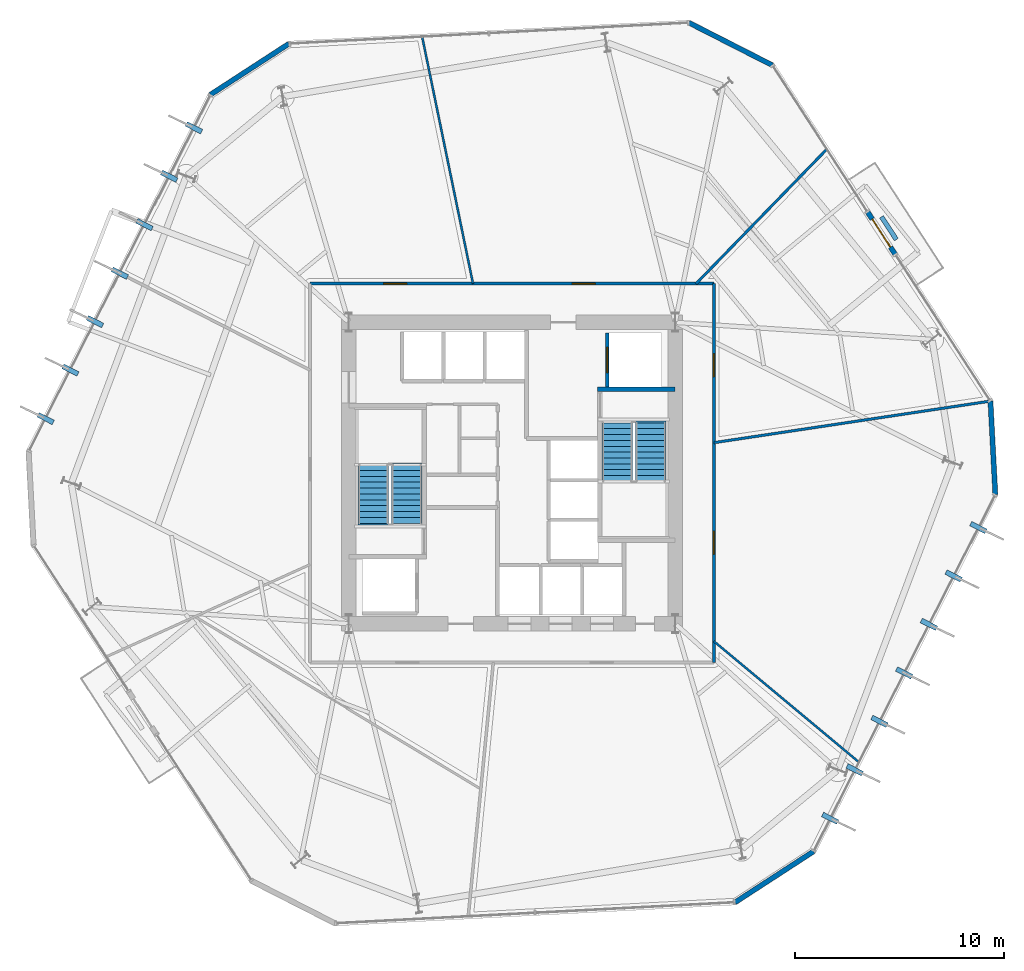
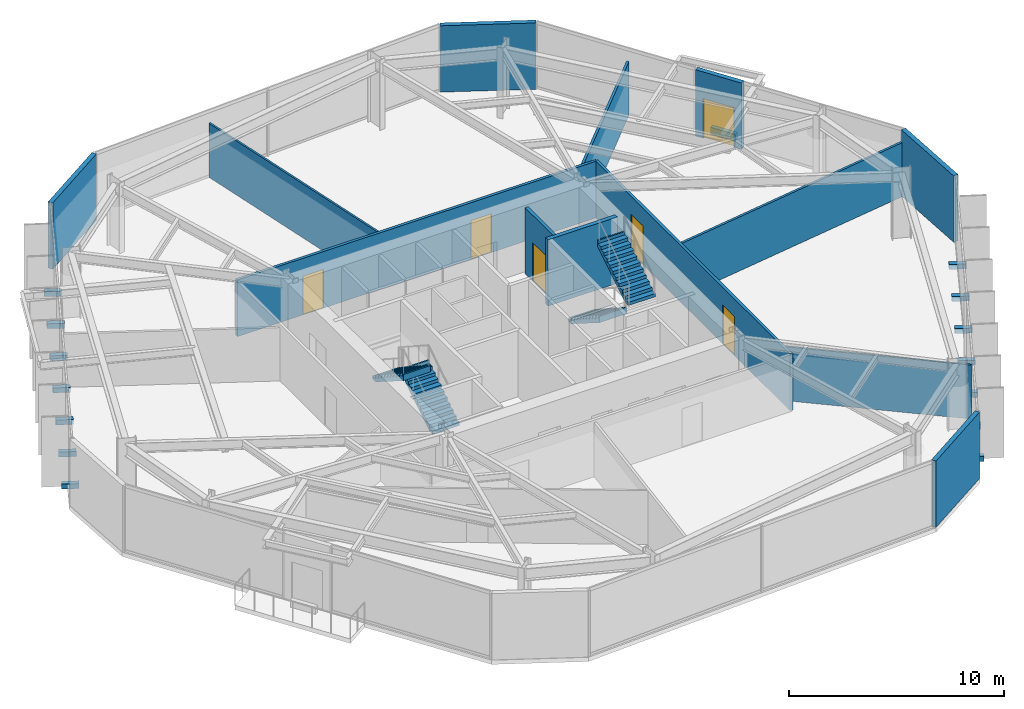
# One storey, part 7 of 10: 14 discrete accessories, 14 walls, 6 doors, 4 stair flights, 6 openings, 2 elements without a shape of their own.
"""IFC4 building model written with IfcOpenShell, lengths in metres."""

from ifc_helpers import new_model, si_unit, direction, frame, frame_2d, origin, origin_2d, place, context, subcontext, project, spatial, polyline, rectangle, outline, extrude, material, layer, layer_set, type_object, element, fill, aggregate, save


model = new_model("IFC4")

# Units and contexts
model_context = context("Model", 3, precision=1e-05, world=origin(), true_north=direction((0.0, 1.0)))
body_context = subcontext(model_context, "Body", "Model", "MODEL_VIEW")
ifc_project = project(units=[si_unit("LENGTHUNIT", "METRE"), si_unit("AREAUNIT", "SQUARE_METRE"), si_unit("VOLUMEUNIT", "CUBIC_METRE"), si_unit("PLANEANGLEUNIT", "RADIAN"), si_unit("MASSUNIT", "GRAM", prefix="KILO")], contexts=[model_context])

# Site, building, storey
site_placement = place(None, origin())
site = spatial("IfcSite", under=ifc_project, at=site_placement, CompositionType="ELEMENT")
building_placement = place(site_placement, origin())
building = spatial("IfcBuilding", under=site, at=building_placement, Name="Kranzbogen Civic Tower", CompositionType="ELEMENT")
storey_placement = place(building_placement, frame((0.0, 0.0, 32.0)))
storey = spatial("IfcBuildingStorey", under=building, at=storey_placement, Name="L07", CompositionType="ELEMENT", Elevation=32.0)

# Wall, openings, doors
ifc_material_1 = material(Name="Double-Stud Acoustic Gypsum Partition")
ifc_layer_1 = layer(ifc_material_1, 0.14990234375, Name="Double-Stud Acoustic Gypsum Partition")
ifc_layer_set_1 = layer_set([ifc_layer_1], Name="Double-Stud Acoustic Gypsum Partition")
wall_type_1 = type_object("IfcWallType", Name="Acoustic Corridor and Clinical Partition 150 mm", PredefinedType="PARTITIONING", material=ifc_layer_set_1)
wall_1_placement = place(storey_placement, frame((15.35009765625, 34.050048828125, 0.0), z_axis=(0.0, 0.0, 1.0), x_axis=(1.0, 0.0, 0.0)))
wall_1 = element("IfcWall", 1, at=wall_1_placement, inside=storey, type_object=wall_type_1, Name="L07 corridor partition 01", PredefinedType="PARTITIONING", context=body_context, shape_type="SweptSolid", body=[
    extrude(rectangle(XDim=19.2998046875, YDim=0.14990234375, at=frame_2d((9.64990234375, 0.0))), origin(), (0.0, 0.0, 1.0), 3.2099609375),
])
opening_1_placement = place(wall_1_placement, frame((12.51904296875, 0.0, 0.0)))
opening_1 = element("IfcOpeningElement", 2, at=opening_1_placement, cuts=wall_1, Name="Opening D-COR60", PredefinedType="OPENING", context=body_context, shape_type="SweptSolid", body=[
    extrude(rectangle(XDim=1.10009765625, YDim=2.199951171875, at=frame_2d((0.550048828125, 1.10009765625))), frame((0.0, 0.0849609375, 0.0), z_axis=(0.0, -1.0, 0.0), x_axis=(1.0, 0.0, 0.0)), (0.0, 0.0, 1.0), 0.169921875),
])
opening_2_placement = place(wall_1_placement, frame((3.51904296875, 0.0, 0.0)))
opening_2 = element("IfcOpeningElement", 3, at=opening_2_placement, cuts=wall_1, Name="Opening D-COR60", PredefinedType="OPENING", context=body_context, shape_type="SweptSolid", body=[
    extrude(rectangle(XDim=1.10009765625, YDim=2.199951171875, at=frame_2d((0.550048828125, 1.10009765625))), frame((0.0, 0.0849609375, 0.0), z_axis=(0.0, -1.0, 0.0), x_axis=(1.0, 0.0, 0.0)), (0.0, 0.0, 1.0), 0.169921875),
])
ifc_material_2 = material(Name="Oak Timber and Fire Core", Category="wood")
door_type_1 = type_object("IfcDoorType", Name="Corridor Acoustic Fire Door 1100x2200", OperationType="NOTDEFINED", PredefinedType="DOOR", material=ifc_material_2)
door_1_placement = place(opening_1_placement, origin())
door_1 = element("IfcDoor", 4, at=door_1_placement, inside=storey, type_object=door_type_1, Name="L07 Staff Tea Pantry door", OperationType="SINGLE_SWING_RIGHT", OverallHeight=2.199951171875, OverallWidth=1.10009765625, PredefinedType="DOOR", context=body_context, shape_type="SweptSolid", body=[
    extrude(rectangle(XDim=1.10009765625, YDim=2.199951171875, at=frame_2d((0.550048828125, 1.10009765625))), frame((0.0, 0.02490234375, 0.0), z_axis=(0.0, -1.0, 0.0), x_axis=(1.0, 0.0, 0.0)), (0.0, 0.0, 1.0), 0.050048828125),
])
fill(opening_1, door_1)
door_2_placement = place(opening_2_placement, origin())
door_2 = element("IfcDoor", 5, at=door_2_placement, inside=storey, type_object=door_type_1, Name="L07 Public Delegation Reception door", OperationType="SINGLE_SWING_LEFT", OverallHeight=2.199951171875, OverallWidth=1.10009765625, PredefinedType="DOOR", context=body_context, shape_type="SweptSolid", body=[
    extrude(rectangle(XDim=1.10009765625, YDim=2.199951171875, at=frame_2d((0.550048828125, 1.10009765625))), frame((0.0, 0.02490234375, 0.0), z_axis=(0.0, -1.0, 0.0), x_axis=(1.0, 0.0, 0.0)), (0.0, 0.0, 1.0), 0.050048828125),
])
fill(opening_2, door_2)

wall_2_placement = place(storey_placement, frame((34.64990234375, 34.050048828125, 0.0), z_axis=(0.0, 0.0, 1.0), x_axis=(0.0, -1.0, 0.0)))
wall_2 = element("IfcWall", 6, at=wall_2_placement, inside=storey, type_object=wall_type_1, Name="L07 corridor partition 02", PredefinedType="PARTITIONING", context=body_context, shape_type="SweptSolid", body=[
    extrude(rectangle(XDim=18.10009765625, YDim=0.14990234375, at=frame_2d((9.050048828125, 0.0))), origin(), (0.0, 0.0, 1.0), 3.2099609375),
])
opening_3_placement = place(wall_2_placement, frame((11.826904296875, 0.0, 0.0)))
opening_3 = element("IfcOpeningElement", 7, at=opening_3_placement, cuts=wall_2, Name="Opening D-COR60", PredefinedType="OPENING", context=body_context, shape_type="SweptSolid", body=[
    extrude(rectangle(XDim=1.10009765625, YDim=2.199951171875, at=frame_2d((0.550048828125, 1.10009765625))), frame((0.0, 0.0849609375, 0.0), z_axis=(0.0, -1.0, 0.0), x_axis=(1.0, 0.0, 0.0)), (0.0, 0.0, 1.0), 0.169921875),
])
opening_4_placement = place(wall_2_placement, frame((3.340087890625, 0.0, 0.0)))
opening_4 = element("IfcOpeningElement", 8, at=opening_4_placement, cuts=wall_2, Name="Opening D-COR60", PredefinedType="OPENING", context=body_context, shape_type="SweptSolid", body=[
    extrude(rectangle(XDim=1.10009765625, YDim=2.199951171875, at=frame_2d((0.550048828125, 1.10009765625))), frame((0.0, 0.0849609375, 0.0), z_axis=(0.0, -1.0, 0.0), x_axis=(1.0, 0.0, 0.0)), (0.0, 0.0, 1.0), 0.169921875),
])
door_3_placement = place(opening_3_placement, origin())
door_3 = element("IfcDoor", 9, at=door_3_placement, inside=storey, type_object=door_type_1, Name="L07 Urban Design Workshop door", OperationType="SINGLE_SWING_RIGHT", OverallHeight=2.199951171875, OverallWidth=1.10009765625, PredefinedType="DOOR", context=body_context, shape_type="SweptSolid", body=[
    extrude(rectangle(XDim=1.10009765625, YDim=2.199951171875, at=frame_2d((0.550048828125, 1.10009765625))), frame((0.0, 0.02490234375, 0.0), z_axis=(0.0, -1.0, 0.0), x_axis=(1.0, 0.0, 0.0)), (0.0, 0.0, 1.0), 0.050048828125),
])
fill(opening_3, door_3)
door_4_placement = place(opening_4_placement, origin())
door_4 = element("IfcDoor", 10, at=door_4_placement, inside=storey, type_object=door_type_1, Name="L07 Cultural Screening Clubroom door", OperationType="SINGLE_SWING_LEFT", OverallHeight=2.199951171875, OverallWidth=1.10009765625, PredefinedType="DOOR", context=body_context, shape_type="SweptSolid", body=[
    extrude(rectangle(XDim=1.10009765625, YDim=2.199951171875, at=frame_2d((0.550048828125, 1.10009765625))), frame((0.0, 0.02490234375, 0.0), z_axis=(0.0, -1.0, 0.0), x_axis=(1.0, 0.0, 0.0)), (0.0, 0.0, 1.0), 0.050048828125),
])
fill(opening_4, door_4)

# Walls
ifc_material_3 = material(Name="Insulated Metal-Stud Gypsum Partition")
ifc_layer_2 = layer(ifc_material_3, 0.125, Name="Insulated Metal-Stud Gypsum Partition")
ifc_layer_set_2 = layer_set([ifc_layer_2], Name="Insulated Metal-Stud Gypsum Partition")
wall_type_2 = type_object("IfcWallType", Name="Acoustic Inter-Room Partition 125 mm", PredefinedType="PARTITIONING", material=ifc_layer_set_2)
wall_3_placement = place(storey_placement, frame((33.798095703125, 34.050048828125, 0.0), z_axis=(0.0, 0.0, 1.0), x_axis=(0.697087358393, 0.716986202635, 0.0)))
element("IfcWall", 11, at=wall_3_placement, inside=storey, type_object=wall_type_2, Name="L07 radial room partition 01", PredefinedType="PARTITIONING", context=body_context, shape_type="SweptSolid", body=[
    extrude(rectangle(XDim=8.944091796875, YDim=0.125, at=frame_2d((4.47216796875, 0.0))), origin(), (0.0, 0.0, 1.0), 3.050048828125),
])
wall_4_placement = place(storey_placement, frame((34.64990234375, 26.450927734375, 0.0), z_axis=(0.0, 0.0, 1.0), x_axis=(0.988881121933, 0.148708193067, 0.0)))
element("IfcWall", 12, at=wall_4_placement, inside=storey, type_object=wall_type_2, Name="L07 radial room partition 07", PredefinedType="PARTITIONING", context=body_context, shape_type="SweptSolid", body=[
    extrude(rectangle(XDim=13.342529296875, YDim=0.125, at=frame_2d((6.67138671875, 0.0))), origin(), (0.0, 0.0, 1.0), 3.06005859375),
])
ifc_material_4 = material(Name="Architectural Precast Terracotta Concrete C40/50", Category="masonry")
ifc_layer_3 = layer(ifc_material_4, 0.219970703125, Name="Architectural Precast Terracotta Concrete C40/50")
ifc_layer_set_3 = layer_set([ifc_layer_3], Name="Architectural Precast Terracotta Concrete C40/50")
wall_type_3 = type_object("IfcWallType", Name="Architectural Tree Planter Kerb Wall 220 mm", PredefinedType="USERDEFINED", material=ifc_layer_set_3)
wall_5_placement = place(storey_placement, frame((43.367919921875, 36.154052734375, 0.0), z_axis=(0.0, 0.0, 1.0), x_axis=(-0.544777038638, 0.8385809312, 0.0)))
element("IfcWall", 13, at=wall_5_placement, inside=storey, type_object=wall_type_3, Name="L07 landscaped tree balcony planter L07-TB2", ObjectType="PLANTER_WALL", PredefinedType="USERDEFINED", context=body_context, shape_type="SweptSolid", body=[
    extrude(rectangle(XDim=1.299560546875, YDim=0.219970703125, at=frame_2d((0.64990234375, 0.0))), origin(), (0.0, 0.0, 1.0), 0.39990234375),
])
ifc_material_5 = material(Name="Concrete C45/55", Category="concrete")
ifc_layer_4 = layer(ifc_material_5, 0.219970703125, Name="Concrete C45/55")
ifc_layer_set_4 = layer_set([ifc_layer_4], Name="Concrete C45/55")
wall_type_4 = type_object("IfcWallType", Name="Core Internal Stair Structural Wall 220 mm", PredefinedType="SOLIDWALL", material=ifc_layer_set_4)
wall_6_placement = place(storey_placement, frame((29.080078125, 29.010009765625, 0.0), z_axis=(0.0, 0.0, 1.0), x_axis=(1.0, 0.0, 0.0)))
element("IfcWall", 14, at=wall_6_placement, inside=storey, type_object=wall_type_4, Name="L07 ST-T2 North structural stair wall", PredefinedType="SOLIDWALL", context=body_context, shape_type="SweptSolid", body=[
    extrude(rectangle(XDim=3.719970703125, YDim=0.219970703125, at=frame_2d((1.85986328125, 0.0))), origin(), (0.0, 0.0, 1.0), 3.760009765625),
])
ifc_material_6 = material(Name="Demountable Aluminium and Gypsum Partition", Category="aluminium")
ifc_layer_5 = layer(ifc_material_6, 0.10009765625, Name="Demountable Aluminium and Gypsum Partition")
ifc_layer_set_5 = layer_set([ifc_layer_5], Name="Demountable Aluminium and Gypsum Partition")
wall_type_5 = type_object("IfcWallType", Name="Demountable Office Partition 100 mm", PredefinedType="MOVABLE", material=ifc_layer_set_5)
wall_7_placement = place(storey_placement, frame((23.136962890625, 34.050048828125, 0.0), z_axis=(0.0, 0.0, 1.0), x_axis=(-0.201724490036, 0.979442305662, 0.0)))
element("IfcWall", 15, at=wall_7_placement, inside=storey, type_object=wall_type_5, Name="L07 radial room partition 02", PredefinedType="MOVABLE", context=body_context, shape_type="SweptSolid", body=[
    extrude(rectangle(XDim=12.03125, YDim=0.10009765625, at=frame_2d((6.015625, 0.0))), origin(), (0.0, 0.0, 1.0), 3.06005859375),
])
wall_8_placement = place(storey_placement, frame((34.64990234375, 16.9580078125, 0.0), z_axis=(0.0, 0.0, 1.0), x_axis=(0.76818127449, -0.640232402744, 0.0)))
element("IfcWall", 16, at=wall_8_placement, inside=storey, type_object=wall_type_5, Name="L07 radial room partition 06", PredefinedType="MOVABLE", context=body_context, shape_type="SweptSolid", body=[
    extrude(rectangle(XDim=9.00439453125, YDim=0.10009765625, at=frame_2d((4.502197265625, 0.0))), origin(), (0.0, 0.0, 1.0), 3.06005859375),
])

# Wall, opening, door
ifc_material_7 = material(Name="Gypsum Fireboard Shaftliner")
ifc_layer_6 = layer(ifc_material_7, 0.175048828125, Name="Gypsum Fireboard Shaftliner")
ifc_layer_set_6 = layer_set([ifc_layer_6], Name="Gypsum Fireboard Shaftliner")
wall_type_6 = type_object("IfcWallType", Name="Fire-Rated Lift and Service Shaft Wall 175 mm", PredefinedType="PARTITIONING", material=ifc_layer_set_6)
wall_9_placement = place(storey_placement, frame((29.550048828125, 29.10009765625, 0.0), z_axis=(0.0, 0.0, 1.0), x_axis=(0.0, 1.0, 0.0)))
wall_9 = element("IfcWall", 17, at=wall_9_placement, inside=storey, type_object=wall_type_6, Name="L07 lift FF-02 landing wall", PredefinedType="PARTITIONING", context=body_context, shape_type="SweptSolid", body=[
    extrude(rectangle(XDim=2.599853515625, YDim=0.175048828125, at=frame_2d((1.2998046875, 0.0))), origin(), (0.0, 0.0, 1.0), 3.760009765625),
])
opening_5_placement = place(wall_9_placement, frame((0.699951171875, 0.0, 0.0)))
opening_5 = element("IfcOpeningElement", 18, at=opening_5_placement, cuts=wall_9, Name="Opening LD-FF-02", PredefinedType="OPENING", context=body_context, shape_type="SweptSolid", body=[
    extrude(rectangle(XDim=1.199951171875, YDim=2.199951171875, at=frame_2d((0.60009765625, 1.10009765625))), frame((0.0, 0.09765625, 0.0), z_axis=(0.0, -1.0, 0.0), x_axis=(1.0, 0.0, 0.0)), (0.0, 0.0, 1.0), 0.195068359375),
])
ifc_material_8 = material(Name="Pale Anodised Aluminium", Category="aluminium")
door_type_2 = type_object("IfcDoorType", Name="Firefighting and Stretcher Lift Sliding Landing Door 1200x2200", OperationType="DOUBLE_DOOR_SLIDING", PredefinedType="DOOR", material=ifc_material_8)
door_5_placement = place(opening_5_placement, origin())
door_5 = element("IfcDoor", 19, at=door_5_placement, inside=storey, type_object=door_type_2, Name="L07 lift FF-02 sliding landing door", OperationType="DOUBLE_DOOR_SLIDING", OverallHeight=2.199951171875, OverallWidth=1.199951171875, PredefinedType="DOOR", context=body_context, shape_type="SweptSolid", body=[
    extrude(rectangle(XDim=1.199951171875, YDim=2.199951171875, at=frame_2d((0.60009765625, 1.10009765625))), frame((0.0, 0.02490234375, 0.0), z_axis=(0.0, -1.0, 0.0), x_axis=(1.0, 0.0, 0.0)), (0.0, 0.0, 1.0), 0.050048828125),
])
fill(opening_5, door_5)

ifc_layer_7 = layer(ifc_material_8, 0.239990234375, Name="Pale Anodised Aluminium")
ifc_layer_set_7 = layer_set([ifc_layer_7], Name="Pale Anodised Aluminium")
wall_type_7 = type_object("IfcWallType", Name="Insulated Aluminium Facade Portal Wall 240 mm", PredefinedType="STANDARD", material=ifc_layer_set_7)
wall_10_placement = place(storey_placement, frame((43.305908203125, 35.45703125, 0.0), z_axis=(0.0, 0.0, 1.0), x_axis=(-0.54482747333, 0.838548164571, 0.0)))
wall_10 = element("IfcWall", 20, at=wall_10_placement, inside=storey, type_object=wall_type_7, Name="L07 exterior entrance portal wall 1", PredefinedType="STANDARD", context=body_context, shape_type="SweptSolid", body=[
    extrude(rectangle(XDim=2.400390625, YDim=0.239990234375, at=frame_2d((1.2001953125, 0.0))), origin(), (0.0, 0.0, 1.0), 3.760009765625),
])
opening_6_placement = place(wall_10_placement, frame((0.39990234375, 0.0, 0.0)))
opening_6 = element("IfcOpeningElement", 21, at=opening_6_placement, cuts=wall_10, Name="Opening D-TER", PredefinedType="OPENING", context=body_context, shape_type="SweptSolid", body=[
    extrude(rectangle(XDim=1.60009765625, YDim=2.25, at=frame_2d((0.800048828125, 1.125))), frame((0.0, 0.1298828125, 0.0), z_axis=(0.0, -1.0, 0.0), x_axis=(1.0, 0.0, 0.0)), (0.0, 0.0, 1.0), 0.260009765625),
])
ifc_material_9 = material(Name="Anodised Bronze and Triple Glass", Category="glass")
door_type_3 = type_object("IfcDoorType", Name="Glazed Terrace and Balcony Double Door 1600x2250", OperationType="DOUBLE_DOOR_SINGLE_SWING", PredefinedType="DOOR", material=ifc_material_9)
door_6_placement = place(opening_6_placement, frame((1.60009765625, 0.0, 0.0), z_axis=(0.0, 0.0, 1.0), x_axis=(-1.0, 0.0, 0.0)))
door_6 = element("IfcDoor", 22, at=door_6_placement, inside=storey, type_object=door_type_3, Name="L07 tree balcony access door L07-TB2", OperationType="DOUBLE_DOOR_SINGLE_SWING", OverallHeight=2.25, OverallWidth=1.60009765625, PredefinedType="DOOR", context=body_context, shape_type="SweptSolid", body=[
    extrude(rectangle(XDim=1.60009765625, YDim=2.25, at=frame_2d((0.800048828125, 1.125))), frame((0.0, 0.02490234375, 0.0), z_axis=(0.0, -1.0, 0.0), x_axis=(1.0, 0.0, 0.0)), (0.0, 0.0, 1.0), 0.050048828125),
])
fill(opening_6, door_6)

# Walls
wall_11_placement = place(storey_placement, frame((37.43994140625, 44.489013671875, 0.0), z_axis=(0.0, 0.0, 1.0), x_axis=(-0.89095075078, 0.454099944599, 0.0)))
element("IfcWall", 23, at=wall_11_placement, inside=storey, type_object=wall_type_7, Name="L07 chamfered corner facade spandrel 1", PredefinedType="STANDARD", context=body_context, shape_type="SweptSolid", body=[
    extrude(rectangle(XDim=4.47265625, YDim=0.239990234375, at=frame_2d((2.236328125, 0.0))), origin(), (0.0, 0.0, 1.0), 3.760009765625),
])
for number, where, z_axis, x_axis, name in (
    (24, (14.343017578125, 45.51806640625, 0.0), (0.0, 0.0, 1.0), (-0.838722812153, -0.544558577542, 0.0), "L07 chamfered corner facade spandrel 2"),
    (25, (35.656982421875, 4.48193359375, 0.0), (0.0, 0.0, 1.0), (0.838722812153, 0.544558577542, 0.0), "L07 chamfered corner facade spandrel 5"),
):
    element("IfcWall", number, at=place(storey_placement, frame(where, z_axis=z_axis, x_axis=x_axis)), inside=storey, type_object=wall_type_7, Name=name, PredefinedType="STANDARD", context=body_context, shape_type="SweptSolid", body=[
        extrude(rectangle(XDim=4.473388671875, YDim=0.239990234375, at=frame_2d((2.23681640625, 0.0))), origin(), (0.0, 0.0, 1.0), 3.760009765625),
    ])
wall_12_placement = place(storey_placement, frame((48.097900390625, 23.970947265625, 0.0), z_axis=(0.0, 0.0, 1.0), x_axis=(-0.052286689983, 0.998632115471, 0.0)))
element("IfcWall", 26, at=wall_12_placement, inside=storey, type_object=wall_type_7, Name="L07 chamfered corner facade spandrel 6", PredefinedType="STANDARD", context=body_context, shape_type="SweptSolid", body=[
    extrude(rectangle(XDim=4.47314453125, YDim=0.239990234375, at=frame_2d((2.236572265625, 0.0))), origin(), (0.0, 0.0, 1.0), 3.760009765625),
])

# Stair, stair flights
ifc_material_10 = material(Name="Precast concrete C40/50", Category="concrete")
stair_type_1 = type_object("IfcStairType", Name="Tower Core Pressurized Dogleg Stair 1450", PredefinedType="HALF_TURN_STAIR", material=ifc_material_10)
stair_1_placement = place(storey_placement, origin())
stair_1 = element("IfcStair", 27, at=stair_1_placement, inside=storey, type_object=stair_type_1, Name="L07 Tower Core Pressurized Stair 1", PredefinedType="HALF_TURN_STAIR")
stair_flight_type = type_object("IfcStairFlightType", Name="Precast Concrete Stair Flight R180", PredefinedType="STRAIGHT", material=ifc_material_10)
stair_flight_1_placement = place(storey_placement, frame((19.97509765625, 22.60009765625, 0.0), z_axis=(0.0, 0.0, 1.0), x_axis=(0.0, 1.0, 0.0)))
stair_flight_1 = element("IfcStairFlight", 28, at=stair_flight_1_placement, type_object=stair_flight_type, Name="ST-T1 flight 1", NumberOfRisers=11, NumberOfTreads=10, PredefinedType="STRAIGHT", RiserHeight=0.181818182, TreadLength=0.28, context=body_context, shape_type="SweptSolid", body=[
    extrude(outline(polyline([(0.0, 0.0), (0.0, 0.181884765625), (0.280029296875, 0.181884765625), (0.280029296875, 0.363525390625), (0.56005859375, 0.363525390625), (0.56005859375, 0.54541015625), (0.840087890625, 0.54541015625), (0.840087890625, 0.727294921875), (1.1201171875, 0.727294921875), (1.1201171875, 0.9091796875), (1.39990234375, 0.9091796875), (1.39990234375, 1.0908203125), (1.679931640625, 1.0908203125), (1.679931640625, 1.272705078125), (1.9599609375, 1.272705078125), (1.9599609375, 1.45458984375), (2.239990234375, 1.45458984375), (2.239990234375, 1.636474609375), (2.52001953125, 1.636474609375), (2.52001953125, 1.818115234375), (2.800048828125, 1.818115234375), (2.800048828125, 2.0), (2.880126953125, 2.0), (2.880126953125, 1.639404296875), (0.275146484375, 0.0), (0.0, 0.0)])), frame((0.0, 0.72509765625, 0.0), z_axis=(0.0, -1.0, 0.0), x_axis=(1.0, 0.0, 0.0)), (0.0, 0.0, 1.0), 1.449951171875),
])
stair_flight_2_placement = place(storey_placement, frame((18.375, 25.39990234375, 2.0), z_axis=(0.0, 0.0, 1.0), x_axis=(0.0, -1.0, 0.0)))
stair_flight_2 = element("IfcStairFlight", 29, at=stair_flight_2_placement, type_object=stair_flight_type, Name="ST-T1 flight 2", NumberOfRisers=11, NumberOfTreads=10, PredefinedType="STRAIGHT", RiserHeight=0.181818182, TreadLength=0.28, context=body_context, shape_type="SweptSolid", body=[
    extrude(outline(polyline([(0.0, 0.0), (0.0, 0.181884765625), (0.280029296875, 0.181884765625), (0.280029296875, 0.363525390625), (0.56005859375, 0.363525390625), (0.56005859375, 0.54541015625), (0.840087890625, 0.54541015625), (0.840087890625, 0.727294921875), (1.1201171875, 0.727294921875), (1.1201171875, 0.9091796875), (1.39990234375, 0.9091796875), (1.39990234375, 1.0908203125), (1.679931640625, 1.0908203125), (1.679931640625, 1.272705078125), (1.9599609375, 1.272705078125), (1.9599609375, 1.45458984375), (2.239990234375, 1.45458984375), (2.239990234375, 1.636474609375), (2.52001953125, 1.636474609375), (2.52001953125, 1.818115234375), (2.800048828125, 1.818115234375), (2.800048828125, 2.0), (2.880126953125, 2.0), (2.880126953125, 1.639404296875), (0.275146484375, 0.0), (0.0, 0.0)])), frame((0.0, 0.72509765625, 0.0), z_axis=(0.0, -1.0, 0.0), x_axis=(1.0, 0.0, 0.0)), (0.0, 0.0, 1.0), 1.449951171875),
])
aggregate(stair_1, [stair_flight_1, stair_flight_2])

stair_type_2 = type_object("IfcStairType", Name="Tower Core Secondary Dogleg Stair 1450", PredefinedType="HALF_TURN_STAIR", material=ifc_material_10)
stair_2_placement = place(storey_placement, origin())
stair_2 = element("IfcStair", 30, at=stair_2_placement, inside=storey, type_object=stair_type_2, Name="L07 Tower Core Pressurized Stair 2", PredefinedType="HALF_TURN_STAIR")
stair_flight_3_placement = place(storey_placement, frame((30.02490234375, 27.39990234375, 0.0), z_axis=(0.0, 0.0, 1.0), x_axis=(0.0, -1.0, 0.0)))
stair_flight_3 = element("IfcStairFlight", 31, at=stair_flight_3_placement, type_object=stair_flight_type, Name="ST-T2 flight 1", NumberOfRisers=11, NumberOfTreads=10, PredefinedType="STRAIGHT", RiserHeight=0.181818182, TreadLength=0.28, context=body_context, shape_type="SweptSolid", body=[
    extrude(outline(polyline([(0.0, 0.0), (0.0, 0.181884765625), (0.280029296875, 0.181884765625), (0.280029296875, 0.363525390625), (0.56005859375, 0.363525390625), (0.56005859375, 0.54541015625), (0.840087890625, 0.54541015625), (0.840087890625, 0.727294921875), (1.1201171875, 0.727294921875), (1.1201171875, 0.9091796875), (1.39990234375, 0.9091796875), (1.39990234375, 1.0908203125), (1.679931640625, 1.0908203125), (1.679931640625, 1.272705078125), (1.9599609375, 1.272705078125), (1.9599609375, 1.45458984375), (2.239990234375, 1.45458984375), (2.239990234375, 1.636474609375), (2.52001953125, 1.636474609375), (2.52001953125, 1.818115234375), (2.800048828125, 1.818115234375), (2.800048828125, 2.0), (2.880126953125, 2.0), (2.880126953125, 1.639404296875), (0.275146484375, 0.0), (0.0, 0.0)])), frame((0.0, 0.72509765625, 0.0), z_axis=(0.0, -1.0, 0.0), x_axis=(1.0, 0.0, 0.0)), (0.0, 0.0, 1.0), 1.449951171875),
])
stair_flight_4_placement = place(storey_placement, frame((31.625, 24.60009765625, 2.0), z_axis=(0.0, 0.0, 1.0), x_axis=(0.0, 1.0, 0.0)))
stair_flight_4 = element("IfcStairFlight", 32, at=stair_flight_4_placement, type_object=stair_flight_type, Name="ST-T2 flight 2", NumberOfRisers=11, NumberOfTreads=10, PredefinedType="STRAIGHT", RiserHeight=0.181818182, TreadLength=0.28, context=body_context, shape_type="SweptSolid", body=[
    extrude(outline(polyline([(0.0, 0.0), (0.0, 0.181884765625), (0.280029296875, 0.181884765625), (0.280029296875, 0.363525390625), (0.56005859375, 0.363525390625), (0.56005859375, 0.54541015625), (0.840087890625, 0.54541015625), (0.840087890625, 0.727294921875), (1.1201171875, 0.727294921875), (1.1201171875, 0.9091796875), (1.39990234375, 0.9091796875), (1.39990234375, 1.0908203125), (1.679931640625, 1.0908203125), (1.679931640625, 1.272705078125), (1.9599609375, 1.272705078125), (1.9599609375, 1.45458984375), (2.239990234375, 1.45458984375), (2.239990234375, 1.636474609375), (2.52001953125, 1.636474609375), (2.52001953125, 1.818115234375), (2.800048828125, 1.818115234375), (2.800048828125, 2.0), (2.880126953125, 2.0), (2.880126953125, 1.639404296875), (0.275146484375, 0.0), (0.0, 0.0)])), frame((0.0, 0.72509765625, 0.0), z_axis=(0.0, -1.0, 0.0), x_axis=(1.0, 0.0, 0.0)), (0.0, 0.0, 1.0), 1.449951171875),
])
aggregate(stair_2, [stair_flight_3, stair_flight_4])

# Discrete accessories
ifc_material_11 = material(Name="Steel S355", Category="steel")
discrete_accessory_type = type_object("IfcDiscreteAccessoryType", Name="Structural Curtain-Wall Fin Support Bracket", PredefinedType="BRACKET", material=ifc_material_11)
for number, where, z_axis, x_axis, name in (
    (33, (9.799072265625, 41.4990234375, -0.25), (0.0, 0.0, 1.0), (-0.891006524188, 0.45399049974, 0.0), "L07 facade fin support bracket F3-1"),
    (34, (8.618896484375, 39.18310546875, -0.25), (0.0, 0.0, 1.0), (-0.891006524188, 0.45399049974, 0.0), "L07 facade fin support bracket F3-2"),
    (35, (7.43798828125, 36.865966796875, -0.25), (0.0, 0.0, 1.0), (-0.891006524188, 0.45399049974, 0.0), "L07 facade fin support bracket F3-3"),
    (36, (6.258056640625, 34.549072265625, -0.25), (0.0, 0.0, 1.0), (-0.891006524188, 0.45399049974, 0.0), "L07 facade fin support bracket F3-4"),
    (37, (5.076904296875, 32.23291015625, -0.25), (0.0, 0.0, 1.0), (-0.891006524188, 0.45399049974, 0.0), "L07 facade fin support bracket F3-5"),
    (38, (3.89697265625, 29.916015625, -0.25), (0.0, 0.0, 1.0), (-0.891006524188, 0.45399049974, 0.0), "L07 facade fin support bracket F3-6"),
    (39, (2.716064453125, 27.60009765625, -0.25), (0.0, 0.0, 1.0), (-0.891006524188, 0.45399049974, 0.0), "L07 facade fin support bracket F3-7"),
    (40, (40.200927734375, 8.5009765625, -0.25), (0.0, 0.0, 1.0), (0.891006524188, -0.45399049974, 0.0), "L07 facade fin support bracket F6-1"),
    (41, (41.381103515625, 10.81689453125, -0.25), (0.0, 0.0, 1.0), (0.891006524188, -0.45399049974, 0.0), "L07 facade fin support bracket F6-2"),
    (42, (42.56201171875, 13.134033203125, -0.25), (0.0, 0.0, 1.0), (0.891006524188, -0.45399049974, 0.0), "L07 facade fin support bracket F6-3"),
    (43, (43.741943359375, 15.450927734375, -0.25), (0.0, 0.0, 1.0), (0.891006524188, -0.45399049974, 0.0), "L07 facade fin support bracket F6-4"),
    (44, (44.923095703125, 17.76708984375, -0.25), (0.0, 0.0, 1.0), (0.891006524188, -0.45399049974, 0.0), "L07 facade fin support bracket F6-5"),
    (45, (46.10302734375, 20.083984375, -0.25), (0.0, 0.0, 1.0), (0.891006524188, -0.45399049974, 0.0), "L07 facade fin support bracket F6-6"),
    (46, (47.283935546875, 22.39990234375, -0.25), (0.0, 0.0, 1.0), (0.891006524188, -0.45399049974, 0.0), "L07 facade fin support bracket F6-7"),
):
    element("IfcDiscreteAccessory", number, at=place(storey_placement, frame(where, z_axis=z_axis, x_axis=x_axis)), inside=storey, type_object=discrete_accessory_type, Name=name, PredefinedType="BRACKET", context=body_context, shape_type="SweptSolid", body=[
        extrude(rectangle(XDim=0.820068359375, YDim=0.239990234375, at=origin_2d()), origin(), (0.0, 0.0, 1.0), 0.280029296875),
    ])

save(model, "model.ifc")
